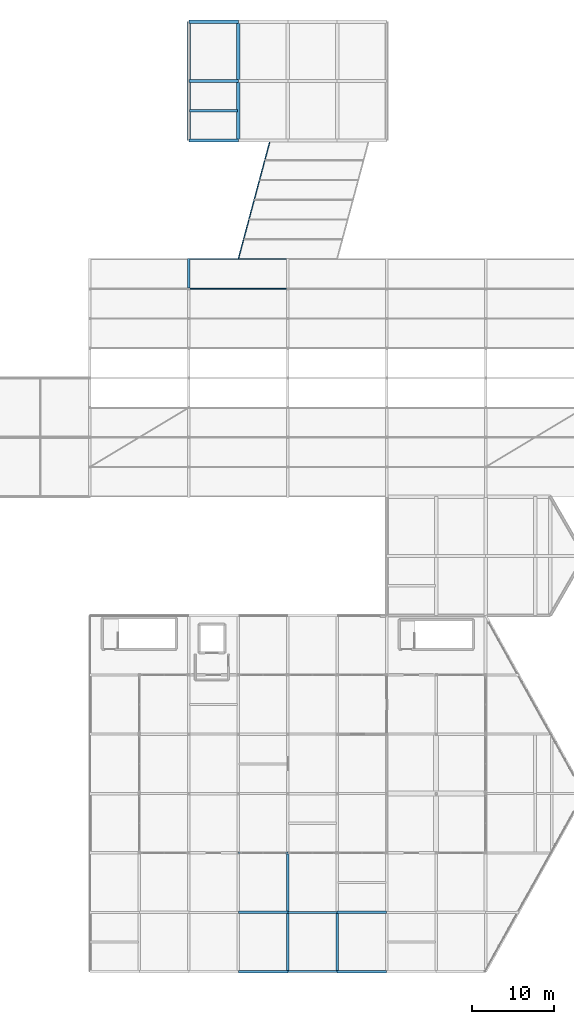
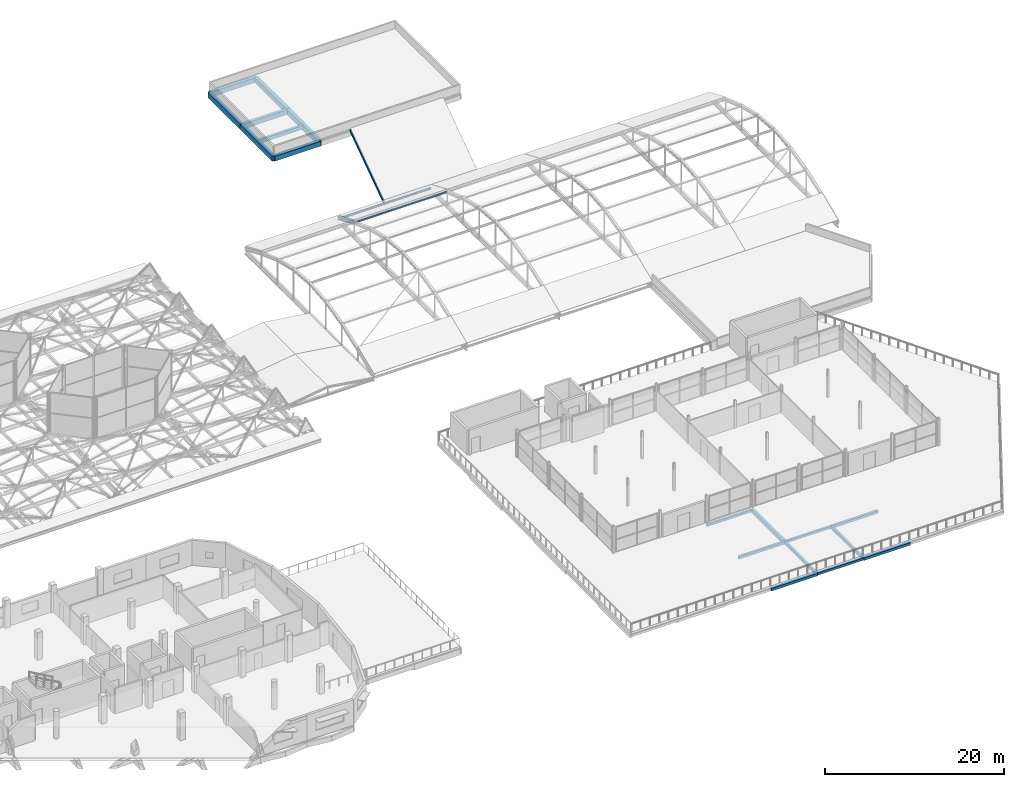
# One storey, part 154 of 239: 20 beams, 2 members.
"""IFC4 building model written with IfcOpenShell, lengths in metres."""

from ifc_helpers import new_model, si_unit, direction, frame, origin, origin_2d, place, context, subcontext, project, spatial, rectangle, hollow_rectangle, i_section, extrude, material, material_profile, profile_set, type_object, element, save


model = new_model("IFC4")

# Units and contexts
model_context = context("Model", 3, precision=1e-05, world=origin(), true_north=direction((0.0, 1.0)))
body_context = subcontext(model_context, "Body", "Model", "MODEL_VIEW")
ifc_project = project(units=[si_unit("LENGTHUNIT", "METRE"), si_unit("AREAUNIT", "SQUARE_METRE"), si_unit("VOLUMEUNIT", "CUBIC_METRE"), si_unit("PLANEANGLEUNIT", "RADIAN"), si_unit("MASSUNIT", "GRAM", prefix="KILO")], contexts=[model_context])

# Site, building, storey
site_placement = place(None, origin())
site = spatial("IfcSite", under=ifc_project, at=site_placement, CompositionType="ELEMENT")
building_placement = place(site_placement, origin())
building = spatial("IfcBuilding", under=site, at=building_placement, Name="Dunvalen Ferry Terminal", CompositionType="ELEMENT")
storey_placement = place(building_placement, frame((0.0, 0.0, 9.840087890625)))
storey = spatial("IfcBuildingStorey", under=building, at=storey_placement, Name="L02", CompositionType="ELEMENT", Elevation=9.840087890625)

# Beams
ifc_material_1 = material(Name="Steel S355", Category="steel")
ifc_material_profile_1 = material_profile(ifc_material_1, i_section(OverallWidth=0.300048828125, OverallDepth=0.389892578125, WebThickness=0.010986328125, FlangeThickness=0.01904296875, FilletRadius=0.027099609375, at=origin_2d()), Name="Steel S355")
ifc_profile_set_1 = profile_set([ifc_material_profile_1], Name="Steel S355")
beam_type_1 = type_object("IfcBeamType", Name="STR-BM-HEA400", PredefinedType="BEAM", material=ifc_profile_set_1)
beam_1_placement = place(storey_placement, frame((120.0, 82.800048828125, 1.530517578125), z_axis=(0.0, 0.920277550042, -0.391266189299), x_axis=(-1.0, 0.0, 0.0)))
element("IfcBeam", 1, at=beam_1_placement, inside=storey, type_object=beam_type_1, Name="Arrivals Hall Barrel-Vault Arch Rib 02.8", PredefinedType="BEAM", context=body_context, shape_type="SweptSolid", body=[
    extrude(i_section(OverallWidth=0.300048828125, OverallDepth=0.389892578125, WebThickness=0.010986328125, FlangeThickness=0.01904296875, FilletRadius=0.027099609375, at=origin_2d()), origin(), (0.0, 0.0, 1.0), 3.91162109375),
])
ifc_material_2 = material(Name="Concrete C35/45", Category="concrete")
ifc_material_profile_2 = material_profile(ifc_material_2, rectangle(XDim=0.300048828125, YDim=0.5, at=origin_2d()), Name="Concrete C35/45")
ifc_profile_set_2 = profile_set([ifc_material_profile_2], Name="Concrete C35/45")
beam_type_2 = type_object("IfcBeamType", Name="STR-BM-RCB500", PredefinedType="JOIST", material=ifc_profile_set_2)
beam_2_placement = place(storey_placement, frame((120.10009765625, 104.39990234375, -0.489990234375), z_axis=(1.0, 0.0, 0.0), x_axis=(0.0, 1.0, 0.0)))
element("IfcBeam", 2, at=beam_2_placement, inside=storey, type_object=beam_type_2, Name="L02 V3B2 Secondary Joist 001", PredefinedType="JOIST", context=body_context, shape_type="SweptSolid", body=[
    extrude(rectangle(XDim=0.300048828125, YDim=0.5, at=origin_2d()), origin(), (0.0, 0.0, 1.0), 5.7998046875),
])
ifc_material_profile_3 = material_profile(ifc_material_2, rectangle(XDim=0.35009765625, YDim=0.5, at=origin_2d()), Name="Concrete C35/45")
ifc_profile_set_3 = profile_set([ifc_material_profile_3], Name="Concrete C35/45")
beam_type_3 = type_object("IfcBeamType", Name="STR-BM-RCB500W", PredefinedType="JOIST", material=ifc_profile_set_3)
beam_3_placement = place(storey_placement, frame((132.0, 7.199951171875, -0.530029296875), z_axis=(0.0, 1.0, 0.0), x_axis=(-1.0, 0.0, 0.0)))
element("IfcBeam", 3, at=beam_3_placement, inside=storey, type_object=beam_type_3, Name="L02 V4 Primary Girder Y-087", PredefinedType="JOIST", context=body_context, shape_type="SweptSolid", body=[
    extrude(rectangle(XDim=0.35009765625, YDim=0.5, at=origin_2d()), origin(), (0.0, 0.0, 1.0), 7.199951171875),
])
ifc_material_3 = material(Name="Concrete C40/50", Category="concrete")
ifc_material_profile_4 = material_profile(ifc_material_3, rectangle(XDim=0.39990234375, YDim=0.64990234375, at=origin_2d()), Name="Concrete C40/50")
ifc_profile_set_4 = profile_set([ifc_material_profile_4], Name="Concrete C40/50")
beam_type_4 = type_object("IfcBeamType", Name="STR-BM-RCB650", PredefinedType="BEAM", material=ifc_profile_set_4)
for number, where, z_axis, x_axis, name in (
    (4, (120.0, 100.800048828125, -0.565185546875), (1.0, 0.0, 0.0), (0.0, 1.0, 0.0), "L02 V3B2 Primary Beam X-001"),
    (5, (120.0, 108.0, -0.565185546875), (1.0, 0.0, 0.0), (0.0, 1.0, 0.0), "L02 V3B2 Primary Beam X-005"),
    (6, (120.0, 115.199951171875, -0.565185546875), (1.0, 0.0, 0.0), (0.0, 1.0, 0.0), "L02 V3B2 Primary Beam X-009"),
):
    element("IfcBeam", number, at=place(storey_placement, frame(where, z_axis=z_axis, x_axis=x_axis)), inside=storey, type_object=beam_type_4, Name=name, PredefinedType="BEAM", context=body_context, shape_type="SweptSolid", body=[
        extrude(rectangle(XDim=0.39990234375, YDim=0.64990234375, at=origin_2d()), origin(), (0.0, 0.0, 1.0), 6.0),
    ])
ifc_material_profile_5 = material_profile(ifc_material_3, rectangle(XDim=0.449951171875, YDim=0.699951171875, at=origin_2d()), Name="Concrete C40/50")
ifc_profile_set_5 = profile_set([ifc_material_profile_5], Name="Concrete C40/50")
beam_type_5 = type_object("IfcBeamType", Name="STR-BM-RCB700", PredefinedType="BEAM", material=ifc_profile_set_5)
for number, where, z_axis, x_axis, name in (
    (7, (120.0, 100.800048828125, -0.590087890625), (0.0, 1.0, 0.0), (-1.0, 0.0, 0.0), "L02 V3B2 Primary Girder Y-013"),
    (8, (120.0, 108.0, -0.590087890625), (0.0, 1.0, 0.0), (-1.0, 0.0, 0.0), "L02 V3B2 Primary Girder Y-014"),
    (9, (126.0, 100.800048828125, -0.590087890625), (0.0, 1.0, 0.0), (-1.0, 0.0, 0.0), "L02 V3B2 Primary Girder Y-015"),
    (10, (126.0, 108.0, -0.590087890625), (0.0, 1.0, 0.0), (-1.0, 0.0, 0.0), "L02 V3B2 Primary Girder Y-016"),
):
    element("IfcBeam", number, at=place(storey_placement, frame(where, z_axis=z_axis, x_axis=x_axis)), inside=storey, type_object=beam_type_5, Name=name, PredefinedType="BEAM", context=body_context, shape_type="SweptSolid", body=[
        extrude(rectangle(XDim=0.449951171875, YDim=0.699951171875, at=origin_2d()), origin(), (0.0, 0.0, 1.0), 7.199951171875),
    ])
ifc_material_profile_6 = material_profile(ifc_material_2, rectangle(XDim=0.25, YDim=0.300048828125, at=origin_2d()), Name="Concrete C35/45")
ifc_profile_set_6 = profile_set([ifc_material_profile_6], Name="Concrete C35/45")
beam_type_6 = type_object("IfcBeamType", Name="STR-BM-RCL300", PredefinedType="LINTEL", material=ifc_profile_set_6)
for number, where, z_axis, x_axis, name in (
    (11, (132.0, 0.0, -0.43017578125), (1.0, 0.0, 0.0), (0.0, 1.0, 0.0), "L02 V4 Primary Beam X-005"),
    (12, (132.0, 7.199951171875, -0.43017578125), (1.0, 0.0, 0.0), (0.0, 1.0, 0.0), "L02 V4 Primary Beam X-013"),
    (13, (126.0, 14.39990234375, -0.43017578125), (1.0, 0.0, 0.0), (0.0, 1.0, 0.0), "L02 V4 Primary Beam X-021"),
):
    element("IfcBeam", number, at=place(storey_placement, frame(where, z_axis=z_axis, x_axis=x_axis)), inside=storey, type_object=beam_type_6, Name=name, PredefinedType="LINTEL", context=body_context, shape_type="SweptSolid", body=[
        extrude(rectangle(XDim=0.25, YDim=0.300048828125, at=origin_2d()), origin(), (0.0, 0.0, 1.0), 6.0),
    ])
ifc_material_profile_7 = material_profile(ifc_material_3, rectangle(XDim=0.300048828125, YDim=0.35009765625, at=origin_2d()), Name="Concrete C40/50")
ifc_profile_set_7 = profile_set([ifc_material_profile_7], Name="Concrete C40/50")
beam_type_7 = type_object("IfcBeamType", Name="STR-BM-RCL350", PredefinedType="LINTEL", material=ifc_profile_set_7)
for number, where, z_axis, x_axis, name in (
    (14, (126.0, 0.0, -0.455078125), (1.0, 0.0, 0.0), (0.0, 1.0, 0.0), "L02 V4 Primary Beam X-004"),
    (15, (138.0, 0.0, -0.455078125), (1.0, 0.0, 0.0), (0.0, 1.0, 0.0), "L02 V4 Primary Beam X-006"),
    (16, (126.0, 7.199951171875, -0.455078125), (1.0, 0.0, 0.0), (0.0, 1.0, 0.0), "L02 V4 Primary Beam X-012"),
    (17, (138.0, 7.199951171875, -0.455078125), (1.0, 0.0, 0.0), (0.0, 1.0, 0.0), "L02 V4 Primary Beam X-014"),
):
    element("IfcBeam", number, at=place(storey_placement, frame(where, z_axis=z_axis, x_axis=x_axis)), inside=storey, type_object=beam_type_7, Name=name, PredefinedType="LINTEL", context=body_context, shape_type="SweptSolid", body=[
        extrude(rectangle(XDim=0.300048828125, YDim=0.35009765625, at=origin_2d()), origin(), (0.0, 0.0, 1.0), 6.0),
    ])
for number, where, z_axis, x_axis, name in (
    (18, (132.0, 0.0, -0.455078125), (0.0, 1.0, 0.0), (-1.0, 0.0, 0.0), "L02 V4 Primary Girder Y-086"),
    (19, (138.0, 0.0, -0.455078125), (0.0, 1.0, 0.0), (-1.0, 0.0, 0.0), "L02 V4 Primary Girder Y-092"),
):
    element("IfcBeam", number, at=place(storey_placement, frame(where, z_axis=z_axis, x_axis=x_axis)), inside=storey, type_object=beam_type_7, Name=name, PredefinedType="LINTEL", context=body_context, shape_type="SweptSolid", body=[
        extrude(rectangle(XDim=0.300048828125, YDim=0.35009765625, at=origin_2d()), origin(), (0.0, 0.0, 1.0), 7.199951171875),
    ])
ifc_material_profile_8 = material_profile(ifc_material_1, hollow_rectangle(XDim=0.14990234375, YDim=0.35009765625, WallThickness=0.010009765625, InnerFilletRadius=0.010009765625, OuterFilletRadius=0.02001953125, at=origin_2d()), Name="Steel S355")
ifc_profile_set_8 = profile_set([ifc_material_profile_8], Name="Steel S355")
beam_type_8 = type_object("IfcBeamType", Name="STR-BM-RHS350", PredefinedType="BEAM", material=ifc_profile_set_8)
beam_4_placement = place(storey_placement, frame((126.0, 86.39990234375, -0.18017578125), z_axis=(0.258812211902, 0.965927657214, 0.0), x_axis=(-0.965927657214, 0.258812211902, 0.0)))
element("IfcBeam", 20, at=beam_4_placement, inside=storey, type_object=beam_type_8, Name="Boarding Bridge 2 Warren Top Chord 1", PredefinedType="BEAM", context=body_context, shape_type="SweptSolid", body=[
    extrude(hollow_rectangle(XDim=0.14990234375, YDim=0.35009765625, WallThickness=0.010009765625, InnerFilletRadius=0.010009765625, OuterFilletRadius=0.02001953125, at=origin_2d()), origin(), (0.0, 0.0, 1.0), 14.908203125),
])

# Members
ifc_material_profile_9 = material_profile(ifc_material_1, i_section(OverallWidth=0.110107421875, OverallDepth=0.219970703125, WebThickness=0.005859375, FlangeThickness=0.00927734375, FilletRadius=0.011962890625, at=origin_2d()), Name="Steel S355")
ifc_profile_set_9 = profile_set([ifc_material_profile_9], Name="Steel S355")
member_type_1 = type_object("IfcMemberType", Name="STR-MB-IPE220", PredefinedType="PURLIN", material=ifc_profile_set_9)
member_1_placement = place(storey_placement, frame((120.0, 82.800048828125, 1.530517578125), z_axis=(1.0, 0.0, 0.0), x_axis=(0.0, 1.0, 0.0)))
element("IfcMember", 21, at=member_1_placement, inside=storey, type_object=member_type_1, Name="Arrivals Hall Barrel-Vault Purlin 2.8", PredefinedType="PURLIN", context=body_context, shape_type="SweptSolid", body=[
    extrude(i_section(OverallWidth=0.110107421875, OverallDepth=0.219970703125, WebThickness=0.005859375, FlangeThickness=0.00927734375, FilletRadius=0.011962890625, at=origin_2d()), origin(), (0.0, 0.0, 1.0), 12.0),
])
ifc_material_profile_10 = material_profile(ifc_material_1, i_section(OverallWidth=0.135009765625, OverallDepth=0.27001953125, WebThickness=0.006591796875, FlangeThickness=0.01025390625, FilletRadius=0.014892578125, at=origin_2d()), Name="Steel S355")
ifc_profile_set_10 = profile_set([ifc_material_profile_10], Name="Steel S355")
member_type_2 = type_object("IfcMemberType", Name="STR-MB-IPE270", PredefinedType="PURLIN", material=ifc_profile_set_10)
member_2_placement = place(storey_placement, frame((120.0, 86.39990234375, -0.14013671875), z_axis=(1.0, 0.0, 0.0), x_axis=(0.0, 1.0, 0.0)))
element("IfcMember", 22, at=member_2_placement, inside=storey, type_object=member_type_2, Name="Arrivals Hall Barrel-Vault Purlin 2.9", PredefinedType="PURLIN", context=body_context, shape_type="SweptSolid", body=[
    extrude(i_section(OverallWidth=0.135009765625, OverallDepth=0.27001953125, WebThickness=0.006591796875, FlangeThickness=0.01025390625, FilletRadius=0.014892578125, at=origin_2d()), origin(), (0.0, 0.0, 1.0), 12.0),
])

save(model, "model.ifc")
